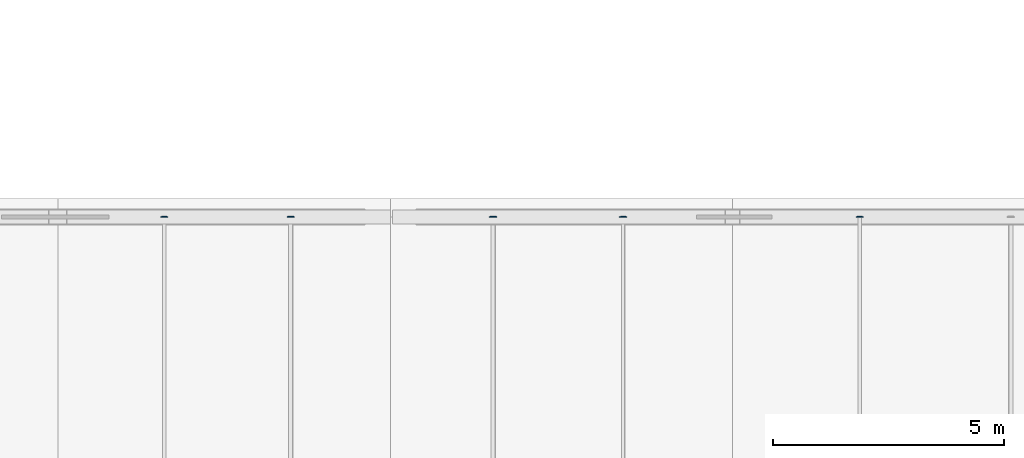
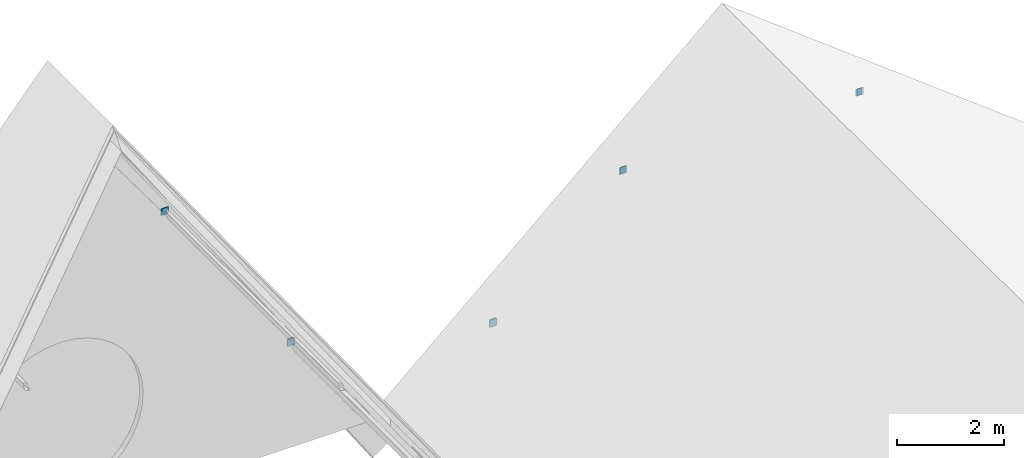
# One storey, part 51 of 64: 10 plates.
"""IFC4 building model written with IfcOpenShell, lengths in metres."""

import ifcopenshell
import ifcopenshell.guid

model = None  # the IFC model being written
_history = None  # IfcOwnerHistory: only IFC2X3 demands one
_inside = {}  # id of a spatial element -> (the spatial element, [elements in it])
_under = {}  # id of a project, library or spatial element -> (it, [spatial elements below it])
_declared = {}  # id of a project -> (the project, [libraries it declares])
_typed = {}  # id of a type object -> (the type object, [elements of that type])
_made_of = {}  # id of a material, layer set ... -> (it, [elements and type objects made of it])


def new_model(schema):
    """Start an empty IFC model of exactly this schema.

    Asked for "IFC4X3", IfcOpenShell would pick the latest addendum, in which some entities
    have other attributes; the version numbers below select the first issue.
    IFC2X3 requires an IfcOwnerHistory on every rooted entity: one is made here for all.
    """
    global model, _history
    if schema == "IFC4X3":
        model = ifcopenshell.file(schema_version=(4, 3, 0, 0))
    else:
        model = ifcopenshell.file(schema=schema)
    _inside.clear()
    _under.clear()
    _declared.clear()
    _typed.clear()
    _made_of.clear()
    _history = None
    if model.schema == "IFC2X3":
        org = make("IfcOrganization", Name="unknown")
        user = make(
            "IfcPersonAndOrganization",
            ThePerson=make("IfcPerson", FamilyName="unknown"),
            TheOrganization=org,
        )
        app = make(
            "IfcApplication",
            ApplicationDeveloper=org,
            Version="unknown",
            ApplicationFullName="unknown",
            ApplicationIdentifier="unknown",
        )
        _history = make(
            "IfcOwnerHistory",
            OwningUser=user,
            OwningApplication=app,
            ChangeAction="ADDED",
            CreationDate=0,
        )
    return model


def make(cls, **values):
    """One entity of the class cls with the attributes given. An attribute that is None is left unset."""
    return model.create_entity(
        cls, **{name: value for name, value in values.items() if value is not None}
    )


def rooted(cls, **values):
    """An entity with a GlobalId (a new one), such as an element, a storey or a relation."""
    return make(cls, GlobalId=ifcopenshell.guid.new(), OwnerHistory=_history, **values)


def si_unit(unit_type, name, prefix=None):
    """IfcSIUnit, for example si_unit("LENGTHUNIT", "METRE", prefix="MILLI")."""
    return make("IfcSIUnit", UnitType=unit_type, Prefix=prefix, Name=name)


def assignment(units):
    """IfcUnitAssignment: the units of a project."""
    return None if units is None else make("IfcUnitAssignment", Units=units)


def point(xyz):
    """IfcCartesianPoint."""
    return None if xyz is None else make("IfcCartesianPoint", Coordinates=xyz)


def direction(xyz):
    """IfcDirection."""
    return None if xyz is None else make("IfcDirection", DirectionRatios=xyz)


def frame(location, z_axis=None, x_axis=None):
    """IfcAxis2Placement3D, a coordinate frame: its origin and axes. An axis left out is left unset."""
    return make(
        "IfcAxis2Placement3D",
        Location=point(location),
        Axis=direction(z_axis),
        RefDirection=direction(x_axis),
    )


def frame_2d(location, x_axis=None):
    """IfcAxis2Placement2D, a coordinate frame in the plane: its origin and x axis."""
    return make(
        "IfcAxis2Placement2D", Location=point(location), RefDirection=direction(x_axis)
    )


def origin():
    """The frame at (0, 0, 0) with its axes left unset."""
    return frame((0.0, 0.0, 0.0))


def origin_2d():
    """The frame at (0, 0) in the plane with its x axis left unset."""
    return frame_2d((0.0, 0.0))


def place(relative_to, where):
    """IfcLocalPlacement: puts the frame where relative to a parent placement (None: the world)."""
    return make(
        "IfcLocalPlacement", PlacementRelTo=relative_to, RelativePlacement=where
    )


def context(
    kind, dimensions, precision=None, world=None, true_north=None, identifier=None
):
    """IfcGeometricRepresentationContext, for example the 3D "Model" context."""
    return make(
        "IfcGeometricRepresentationContext",
        ContextIdentifier=identifier,
        ContextType=kind,
        CoordinateSpaceDimension=dimensions,
        Precision=precision,
        WorldCoordinateSystem=world,
        TrueNorth=true_north,
    )


def subcontext(parent, identifier, kind, view, scale=None):
    """IfcGeometricRepresentationSubContext, for example "Body" below "Model"."""
    return make(
        "IfcGeometricRepresentationSubContext",
        ContextIdentifier=identifier,
        ContextType=kind,
        ParentContext=parent,
        TargetScale=scale,
        TargetView=view,
    )


def project(units=None, contexts=None):
    """IfcProject with its units and contexts."""
    return rooted(
        "IfcProject",
        Name="project",
        RepresentationContexts=contexts,
        UnitsInContext=assignment(units),
    )


def spatial(cls, under=None, at=None, **own):
    """A site, building, storey or space (cls), placed at a placement, below another one or the project."""
    s = rooted(cls, ObjectPlacement=at, **own)
    if under is not None:
        _under.setdefault(under.id(), (under, []))[1].append(s)
    return s


def profile(cls, at=None, kind="AREA", **sizes):
    """A parametric profile (cls). Its sizes go by their IFC names, for example OverallWidth=200.0."""
    return make(cls, ProfileType=kind, Position=at, **sizes)


def rectangle(**sizes):
    """IfcRectangleProfileDef."""
    return profile("IfcRectangleProfileDef", **sizes)


def extrude(swept, where, along, depth):
    """IfcExtrudedAreaSolid: the profile swept, set in the frame where, extruded along a direction by depth."""
    return make(
        "IfcExtrudedAreaSolid",
        SweptArea=swept,
        Position=where,
        ExtrudedDirection=direction(along),
        Depth=depth,
    )


def shape(context_of_items, identifier, shape_type, items):
    """IfcShapeRepresentation: the items that make up one representation, for example the "Body"."""
    return make(
        "IfcShapeRepresentation",
        ContextOfItems=context_of_items,
        RepresentationIdentifier=identifier,
        RepresentationType=shape_type,
        Items=items,
    )


def material(Name=None, Category=None):
    """IfcMaterial."""
    return make("IfcMaterial", Name=Name, Category=Category)


def layer(
    of_material, thickness, ventilated=None, Name=None, Category=None, Priority=None
):
    """IfcMaterialLayer: one layer of a wall or slab, of a material (None: an air gap)."""
    return make(
        "IfcMaterialLayer",
        Material=of_material,
        LayerThickness=thickness,
        IsVentilated=ventilated,
        Name=Name,
        Category=Category,
        Priority=Priority,
    )


def layer_set(layers, Name=None):
    """IfcMaterialLayerSet."""
    return make("IfcMaterialLayerSet", MaterialLayers=layers, LayerSetName=Name)


def made_of(thing, what):
    """Note that an element or type object is made of a material, layer set ...; save() writes the relation."""
    if what is not None:
        _made_of.setdefault(what.id(), (what, []))[1].append(thing)
    return thing


def type_object(cls, material=None, **own):
    """A type object (cls), such as IfcWallType, which elements share."""
    return made_of(rooted(cls, **own), material)


def element(
    cls,
    number,
    at=None,
    inside=None,
    cuts=None,
    type_object=None,
    material=None,
    context=None,
    identifier="Body",
    shape_type=None,
    held_by="IfcProductDefinitionShape",
    body=None,
    shapes=None,
    **own,
):
    """One element of the class cls, such as IfcWall. Its Tag is "e" and its number.

    at: its placement. inside: the storey or other place that contains it. cuts: it is an
    opening in that element (IfcRelVoidsElement). A single representation is given by context,
    identifier, shape_type and body (its items); several are given by shapes. held_by: the class
    of the entity that holds the representations. save() writes the other relations.
    """
    e = rooted(cls, Tag="e%d" % number, ObjectPlacement=at, **own)
    if body is not None:
        shapes = [shape(context, identifier, shape_type, body)]
    if shapes is not None:
        e.Representation = make(held_by, Representations=shapes)
    if inside is not None:
        _inside.setdefault(inside.id(), (inside, []))[1].append(e)
    if cuts is not None:
        rooted(
            "IfcRelVoidsElement", RelatingBuildingElement=cuts, RelatedOpeningElement=e
        )
    if type_object is not None:
        _typed.setdefault(type_object.id(), (type_object, []))[1].append(e)
    return made_of(e, material)


def aggregate(whole, parts):
    """IfcRelAggregates: a whole, such as a stair, and the parts it consists of."""
    return rooted("IfcRelAggregates", RelatingObject=whole, RelatedObjects=parts)


def save(model, path):
    """Write the relations noted so far, then the file.

    IfcRelAggregates (storeys below a building ...), IfcRelContainedInSpatialStructure (elements
    in a storey), IfcRelDefinesByType, IfcRelAssociatesMaterial and IfcRelDeclares: one each for
    every whole, place, type object, material and project.
    """
    for whole, parts in _under.values():
        aggregate(whole, parts)
    for where, things in _inside.values():
        rooted(
            "IfcRelContainedInSpatialStructure",
            RelatedElements=things,
            RelatingStructure=where,
        )
    for kind, things in _typed.values():
        rooted("IfcRelDefinesByType", RelatedObjects=things, RelatingType=kind)
    for what, things in _made_of.values():
        rooted("IfcRelAssociatesMaterial", RelatedObjects=things, RelatingMaterial=what)
    for by, libraries in _declared.values():
        rooted("IfcRelDeclares", RelatingContext=by, RelatedDefinitions=libraries)
    model.write(path)


model = new_model("IFC4")

# Units and contexts
model_context = context("Model", 3, precision=1e-05, world=origin(), true_north=direction((0.0, 1.0)))
body_context = subcontext(model_context, "Body", "Model", "MODEL_VIEW")
ifc_project = project(units=[si_unit("LENGTHUNIT", "METRE"), si_unit("AREAUNIT", "SQUARE_METRE"), si_unit("VOLUMEUNIT", "CUBIC_METRE"), si_unit("PLANEANGLEUNIT", "RADIAN"), si_unit("MASSUNIT", "GRAM", prefix="KILO")], contexts=[model_context])

# Site, building, storey
site_placement = place(None, origin())
site = spatial("IfcSite", under=ifc_project, at=site_placement, CompositionType="ELEMENT")
building_placement = place(site_placement, origin())
building = spatial("IfcBuilding", under=site, at=building_placement, Name="Zhaolan Boulevard Law Courts", CompositionType="ELEMENT")
storey_placement = place(building_placement, frame((0.0, 0.0, 20.39990234375)))
storey = spatial("IfcBuildingStorey", under=building, at=storey_placement, Name="L04", CompositionType="ELEMENT", Elevation=20.39990234375)

# Plates
ifc_material = material(Name="Structural steel Q355B", Category="steel")
ifc_layer = layer(ifc_material, 0.02001953125)
ifc_layer_set = layer_set([ifc_layer])
plate_type = type_object("IfcPlateType", Name="END CAP PLATE 20", PredefinedType="SHEET", material=ifc_layer_set)
for number, where, z_axis, x_axis, name in (
    (1, (129.840087890625, 94.0, 2.4189453125), (0.0, 0.0, 1.0), (1.0, 0.0, 0.0), "Purlin End-Cap Plate ECP-GPR5EN"),
    (2, (127.10400390625, 94.0, 6.37109375), (0.0, 0.0, 1.0), (1.0, 0.0, 0.0), "Purlin End-Cap Plate ECP-GPR5EN"),
    (3, (134.219970703125, 94.0, 1.3251953125), (0.0, 0.0, 1.0), (1.0, 0.0, 0.0), "Purlin End-Cap Plate ECP-GPR6WN"),
    (4, (137.031982421875, 94.0, 3.8330078125), (0.0, 0.0, 1.0), (1.0, 0.0, 0.0), "Purlin End-Cap Plate ECP-GPR6WN"),
    (5, (142.152099609375, 94.0, 3.8330078125), (0.0, 0.0, 1.0), (1.0, 0.0, 0.0), "Purlin End-Cap Plate ECP-GPR6EN"),
):
    element("IfcPlate", number, at=place(storey_placement, frame(where, z_axis=z_axis, x_axis=x_axis)), inside=storey, type_object=plate_type, Name=name, PredefinedType="SHEET", context=body_context, shape_type="SweptSolid", body=[
        extrude(rectangle(XDim=0.159912109375, YDim=0.02001953125, at=origin_2d()), origin(), (0.0, 0.0, 1.0), 0.159912109375),
    ])
plate_1_placement = place(storey_placement, frame((129.840087890625, 94.008056640625, 2.4091796875), z_axis=(0.0, 0.0, 1.0), x_axis=(0.0, 1.0, 0.0)))
element("IfcPlate", 6, at=plate_1_placement, inside=storey, type_object=plate_type, Name="Hollow Section End-Cap Plate ECP-1460", PredefinedType="SHEET", context=body_context, shape_type="SweptSolid", body=[
    extrude(rectangle(XDim=0.02001953125, YDim=0.1298828125, at=origin_2d()), origin(), (0.0, 0.0, 1.0), 0.179931640625),
])
plate_2_placement = place(storey_placement, frame((127.10400390625, 94.008056640625, 6.376220703125), z_axis=(0.0, 0.0, 1.0), x_axis=(0.0, 1.0, 0.0)))
element("IfcPlate", 7, at=plate_2_placement, inside=storey, type_object=plate_type, Name="Hollow Section End-Cap Plate ECP-1464", PredefinedType="SHEET", context=body_context, shape_type="SweptSolid", body=[
    extrude(rectangle(XDim=0.02001953125, YDim=0.110107421875, at=origin_2d()), origin(), (0.0, 0.0, 1.0), 0.14990234375),
])
plate_3_placement = place(storey_placement, frame((134.219970703125, 94.008056640625, 1.31494140625), z_axis=(0.0, 0.0, 1.0), x_axis=(0.0, 1.0, 0.0)))
element("IfcPlate", 8, at=plate_3_placement, inside=storey, type_object=plate_type, Name="Hollow Section End-Cap Plate ECP-1466", PredefinedType="SHEET", context=body_context, shape_type="SweptSolid", body=[
    extrude(rectangle(XDim=0.02001953125, YDim=0.1298828125, at=origin_2d()), origin(), (0.0, 0.0, 1.0), 0.179931640625),
])
for number, where, z_axis, x_axis, name in (
    (9, (137.031982421875, 94.008056640625, 3.838134765625), (0.0, 0.0, 1.0), (0.0, 1.0, 0.0), "Hollow Section End-Cap Plate ECP-1470"),
    (10, (142.152099609375, 94.008056640625, 3.838134765625), (0.0, 0.0, 1.0), (0.0, 1.0, 0.0), "Hollow Section End-Cap Plate ECP-1472"),
):
    element("IfcPlate", number, at=place(storey_placement, frame(where, z_axis=z_axis, x_axis=x_axis)), inside=storey, type_object=plate_type, Name=name, PredefinedType="SHEET", context=body_context, shape_type="SweptSolid", body=[
        extrude(rectangle(XDim=0.02001953125, YDim=0.110107421875, at=origin_2d()), origin(), (0.0, 0.0, 1.0), 0.14990234375),
    ])

save(model, "model.ifc")
